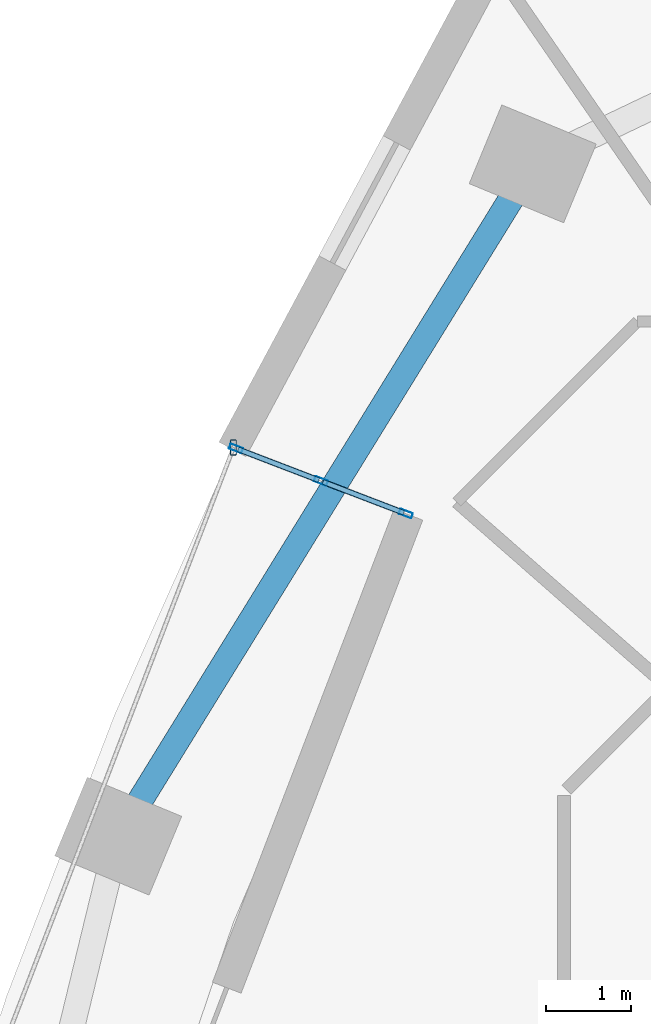
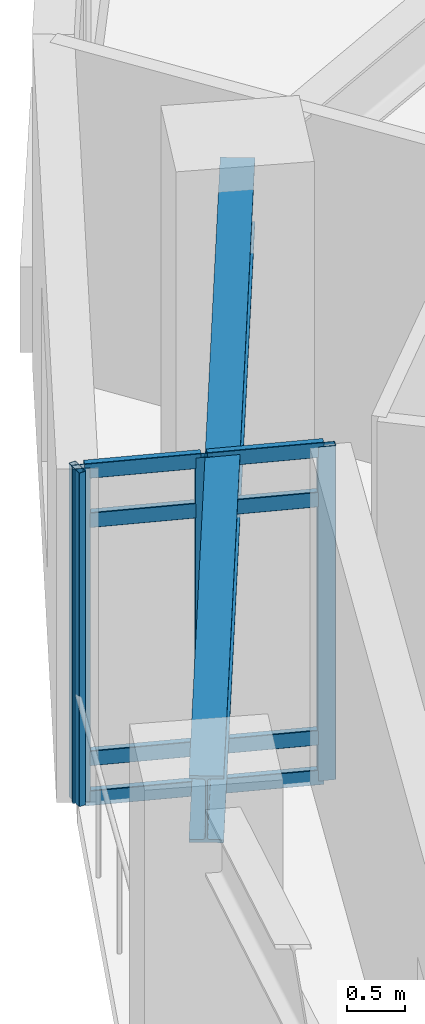
# One storey, part 3 of 12: 12 members, 1 beam, 1 element without a shape of its own.
"""IFC4 building model written with IfcOpenShell, lengths in metres."""

import ifcopenshell
import ifcopenshell.guid

model = None  # the IFC model being written
_history = None  # IfcOwnerHistory: only IFC2X3 demands one
_inside = {}  # id of a spatial element -> (the spatial element, [elements in it])
_under = {}  # id of a project, library or spatial element -> (it, [spatial elements below it])
_declared = {}  # id of a project -> (the project, [libraries it declares])
_typed = {}  # id of a type object -> (the type object, [elements of that type])
_made_of = {}  # id of a material, layer set ... -> (it, [elements and type objects made of it])


def new_model(schema):
    """Start an empty IFC model of exactly this schema.

    Asked for "IFC4X3", IfcOpenShell would pick the latest addendum, in which some entities
    have other attributes; the version numbers below select the first issue.
    IFC2X3 requires an IfcOwnerHistory on every rooted entity: one is made here for all.
    """
    global model, _history
    if schema == "IFC4X3":
        model = ifcopenshell.file(schema_version=(4, 3, 0, 0))
    else:
        model = ifcopenshell.file(schema=schema)
    _inside.clear()
    _under.clear()
    _declared.clear()
    _typed.clear()
    _made_of.clear()
    _history = None
    if model.schema == "IFC2X3":
        org = make("IfcOrganization", Name="unknown")
        user = make(
            "IfcPersonAndOrganization",
            ThePerson=make("IfcPerson", FamilyName="unknown"),
            TheOrganization=org,
        )
        app = make(
            "IfcApplication",
            ApplicationDeveloper=org,
            Version="unknown",
            ApplicationFullName="unknown",
            ApplicationIdentifier="unknown",
        )
        _history = make(
            "IfcOwnerHistory",
            OwningUser=user,
            OwningApplication=app,
            ChangeAction="ADDED",
            CreationDate=0,
        )
    return model


def make(cls, **values):
    """One entity of the class cls with the attributes given. An attribute that is None is left unset."""
    return model.create_entity(
        cls, **{name: value for name, value in values.items() if value is not None}
    )


def rooted(cls, **values):
    """An entity with a GlobalId (a new one), such as an element, a storey or a relation."""
    return make(cls, GlobalId=ifcopenshell.guid.new(), OwnerHistory=_history, **values)


def si_unit(unit_type, name, prefix=None):
    """IfcSIUnit, for example si_unit("LENGTHUNIT", "METRE", prefix="MILLI")."""
    return make("IfcSIUnit", UnitType=unit_type, Prefix=prefix, Name=name)


def assignment(units):
    """IfcUnitAssignment: the units of a project."""
    return None if units is None else make("IfcUnitAssignment", Units=units)


def point(xyz):
    """IfcCartesianPoint."""
    return None if xyz is None else make("IfcCartesianPoint", Coordinates=xyz)


def direction(xyz):
    """IfcDirection."""
    return None if xyz is None else make("IfcDirection", DirectionRatios=xyz)


def frame(location, z_axis=None, x_axis=None):
    """IfcAxis2Placement3D, a coordinate frame: its origin and axes. An axis left out is left unset."""
    return make(
        "IfcAxis2Placement3D",
        Location=point(location),
        Axis=direction(z_axis),
        RefDirection=direction(x_axis),
    )


def frame_2d(location, x_axis=None):
    """IfcAxis2Placement2D, a coordinate frame in the plane: its origin and x axis."""
    return make(
        "IfcAxis2Placement2D", Location=point(location), RefDirection=direction(x_axis)
    )


def origin():
    """The frame at (0, 0, 0) with its axes left unset."""
    return frame((0.0, 0.0, 0.0))


def origin_2d():
    """The frame at (0, 0) in the plane with its x axis left unset."""
    return frame_2d((0.0, 0.0))


def place(relative_to, where):
    """IfcLocalPlacement: puts the frame where relative to a parent placement (None: the world)."""
    return make(
        "IfcLocalPlacement", PlacementRelTo=relative_to, RelativePlacement=where
    )


def context(
    kind, dimensions, precision=None, world=None, true_north=None, identifier=None
):
    """IfcGeometricRepresentationContext, for example the 3D "Model" context."""
    return make(
        "IfcGeometricRepresentationContext",
        ContextIdentifier=identifier,
        ContextType=kind,
        CoordinateSpaceDimension=dimensions,
        Precision=precision,
        WorldCoordinateSystem=world,
        TrueNorth=true_north,
    )


def subcontext(parent, identifier, kind, view, scale=None):
    """IfcGeometricRepresentationSubContext, for example "Body" below "Model"."""
    return make(
        "IfcGeometricRepresentationSubContext",
        ContextIdentifier=identifier,
        ContextType=kind,
        ParentContext=parent,
        TargetScale=scale,
        TargetView=view,
    )


def project(units=None, contexts=None):
    """IfcProject with its units and contexts."""
    return rooted(
        "IfcProject",
        Name="project",
        RepresentationContexts=contexts,
        UnitsInContext=assignment(units),
    )


def spatial(cls, under=None, at=None, **own):
    """A site, building, storey or space (cls), placed at a placement, below another one or the project."""
    s = rooted(cls, ObjectPlacement=at, **own)
    if under is not None:
        _under.setdefault(under.id(), (under, []))[1].append(s)
    return s


def profile(cls, at=None, kind="AREA", **sizes):
    """A parametric profile (cls). Its sizes go by their IFC names, for example OverallWidth=200.0."""
    return make(cls, ProfileType=kind, Position=at, **sizes)


def hollow_rectangle(**sizes):
    """IfcRectangleHollowProfileDef."""
    return profile("IfcRectangleHollowProfileDef", **sizes)


def i_section(**sizes):
    """IfcIShapeProfileDef."""
    return profile("IfcIShapeProfileDef", **sizes)


def extrude(swept, where, along, depth):
    """IfcExtrudedAreaSolid: the profile swept, set in the frame where, extruded along a direction by depth."""
    return make(
        "IfcExtrudedAreaSolid",
        SweptArea=swept,
        Position=where,
        ExtrudedDirection=direction(along),
        Depth=depth,
    )


def shape(context_of_items, identifier, shape_type, items):
    """IfcShapeRepresentation: the items that make up one representation, for example the "Body"."""
    return make(
        "IfcShapeRepresentation",
        ContextOfItems=context_of_items,
        RepresentationIdentifier=identifier,
        RepresentationType=shape_type,
        Items=items,
    )


def material(Name=None, Category=None):
    """IfcMaterial."""
    return make("IfcMaterial", Name=Name, Category=Category)


def layer(
    of_material, thickness, ventilated=None, Name=None, Category=None, Priority=None
):
    """IfcMaterialLayer: one layer of a wall or slab, of a material (None: an air gap)."""
    return make(
        "IfcMaterialLayer",
        Material=of_material,
        LayerThickness=thickness,
        IsVentilated=ventilated,
        Name=Name,
        Category=Category,
        Priority=Priority,
    )


def layer_set(layers, Name=None):
    """IfcMaterialLayerSet."""
    return make("IfcMaterialLayerSet", MaterialLayers=layers, LayerSetName=Name)


def material_profile(
    of_material, cross_section, Name=None, Category=None, Priority=None
):
    """IfcMaterialProfile: a cross section and its material."""
    return make(
        "IfcMaterialProfile",
        Name=Name,
        Material=of_material,
        Profile=cross_section,
        Priority=Priority,
        Category=Category,
    )


def profile_set(profiles, Name=None, composite=None):
    """IfcMaterialProfileSet."""
    return make(
        "IfcMaterialProfileSet",
        Name=Name,
        MaterialProfiles=profiles,
        CompositeProfile=composite,
    )


def made_of(thing, what):
    """Note that an element or type object is made of a material, layer set ...; save() writes the relation."""
    if what is not None:
        _made_of.setdefault(what.id(), (what, []))[1].append(thing)
    return thing


def type_object(cls, material=None, **own):
    """A type object (cls), such as IfcWallType, which elements share."""
    return made_of(rooted(cls, **own), material)


def element(
    cls,
    number,
    at=None,
    inside=None,
    cuts=None,
    type_object=None,
    material=None,
    context=None,
    identifier="Body",
    shape_type=None,
    held_by="IfcProductDefinitionShape",
    body=None,
    shapes=None,
    **own,
):
    """One element of the class cls, such as IfcWall. Its Tag is "e" and its number.

    at: its placement. inside: the storey or other place that contains it. cuts: it is an
    opening in that element (IfcRelVoidsElement). A single representation is given by context,
    identifier, shape_type and body (its items); several are given by shapes. held_by: the class
    of the entity that holds the representations. save() writes the other relations.
    """
    e = rooted(cls, Tag="e%d" % number, ObjectPlacement=at, **own)
    if body is not None:
        shapes = [shape(context, identifier, shape_type, body)]
    if shapes is not None:
        e.Representation = make(held_by, Representations=shapes)
    if inside is not None:
        _inside.setdefault(inside.id(), (inside, []))[1].append(e)
    if cuts is not None:
        rooted(
            "IfcRelVoidsElement", RelatingBuildingElement=cuts, RelatedOpeningElement=e
        )
    if type_object is not None:
        _typed.setdefault(type_object.id(), (type_object, []))[1].append(e)
    return made_of(e, material)


def aggregate(whole, parts):
    """IfcRelAggregates: a whole, such as a stair, and the parts it consists of."""
    return rooted("IfcRelAggregates", RelatingObject=whole, RelatedObjects=parts)


def save(model, path):
    """Write the relations noted so far, then the file.

    IfcRelAggregates (storeys below a building ...), IfcRelContainedInSpatialStructure (elements
    in a storey), IfcRelDefinesByType, IfcRelAssociatesMaterial and IfcRelDeclares: one each for
    every whole, place, type object, material and project.
    """
    for whole, parts in _under.values():
        aggregate(whole, parts)
    for where, things in _inside.values():
        rooted(
            "IfcRelContainedInSpatialStructure",
            RelatedElements=things,
            RelatingStructure=where,
        )
    for kind, things in _typed.values():
        rooted("IfcRelDefinesByType", RelatedObjects=things, RelatingType=kind)
    for what, things in _made_of.values():
        rooted("IfcRelAssociatesMaterial", RelatedObjects=things, RelatingMaterial=what)
    for by, libraries in _declared.values():
        rooted("IfcRelDeclares", RelatingContext=by, RelatedDefinitions=libraries)
    model.write(path)


model = new_model("IFC4")

# Units and contexts
model_context = context("Model", 3, precision=1e-05, world=origin(), true_north=direction((0.0, 1.0)))
body_context = subcontext(model_context, "Body", "Model", "MODEL_VIEW")
ifc_project = project(units=[si_unit("LENGTHUNIT", "METRE"), si_unit("AREAUNIT", "SQUARE_METRE"), si_unit("VOLUMEUNIT", "CUBIC_METRE"), si_unit("PLANEANGLEUNIT", "RADIAN"), si_unit("MASSUNIT", "GRAM", prefix="KILO")], contexts=[model_context])

# Site, building, storey
site_placement = place(None, origin())
site = spatial("IfcSite", under=ifc_project, at=site_placement, CompositionType="ELEMENT")
building_placement = place(site_placement, origin())
building = spatial("IfcBuilding", under=site, at=building_placement, Name="Ndelora Gate Hotel", CompositionType="ELEMENT")
storey_placement = place(building_placement, frame((0.0, 0.0, 68.0)))
storey = spatial("IfcBuildingStorey", under=building, at=storey_placement, Name="L16", CompositionType="ELEMENT", Elevation=68.0)

# Beam
ifc_material_1 = material(Name="Steel S355", Category="steel")
ifc_material_profile_1 = material_profile(ifc_material_1, i_section(OverallWidth=0.300048828125, OverallDepth=0.699951171875, WebThickness=0.01708984375, FlangeThickness=0.031982421875, FilletRadius=0.027099609375, at=origin_2d()), Name="HEB 700")
ifc_profile_set_1 = profile_set([ifc_material_profile_1], Name="Steel S355")
beam_type = type_object("IfcBeamType", Name="BM-RING-700", PredefinedType="SPANDREL", material=ifc_profile_set_1)
beam_placement = place(storey_placement, frame((-11.1484375, 14.529052734375, 3.14990234375), z_axis=(-0.524897602516, -0.851165381623, 0.0), x_axis=(0.851165381623, -0.524897602516, 0.0)))
element("IfcBeam", 1, at=beam_placement, inside=storey, type_object=beam_type, Name="L16 Perimeter Spandrel Girder 2", PredefinedType="SPANDREL", context=body_context, shape_type="SweptSolid", body=[
    extrude(i_section(OverallWidth=0.300048828125, OverallDepth=0.699951171875, WebThickness=0.01708984375, FlangeThickness=0.031982421875, FilletRadius=0.027099609375, at=origin_2d()), origin(), (0.0, 0.0, 1.0), 9.27490234375),
])

# Curtain wall, members
ifc_material_2 = material(Name="Bronze Anodised Unitised Aluminium and Low-E Glass", Category="aluminium")
ifc_layer = layer(ifc_material_2, 0.199951171875)
ifc_layer_set = layer_set([ifc_layer], Name="Bronze Anodised Unitised Aluminium and Low-E Glass")
curtain_wall_type = type_object("IfcCurtainWallType", Name="CW-SYS-3", PredefinedType="NOTDEFINED", material=ifc_layer_set)
curtain_wall_placement = place(storey_placement, origin())
curtain_wall = element("IfcCurtainWall", 2, at=curtain_wall_placement, inside=storey, type_object=curtain_wall_type, Name="L16 Sky-Garden Loggia Side Curtain Wall CW3-1", PredefinedType="NOTDEFINED")
ifc_material_3 = material(Name="Bronze Anodised Aluminium 6063-T6", Category="aluminium")
ifc_material_profile_2 = material_profile(ifc_material_3, hollow_rectangle(XDim=0.06494140625, YDim=0.159912109375, WallThickness=0.00390625, InnerFilletRadius=0.00390625, OuterFilletRadius=0.008056640625, at=origin_2d()), Name="ALU 160x65x4")
ifc_profile_set_2 = profile_set([ifc_material_profile_2], Name="Bronze Anodised Aluminium 6063-T6")
member_type_1 = type_object("IfcMemberType", Name="MB-CW-MUL150", PredefinedType="MULLION", material=ifc_profile_set_2)
member_1_placement = place(storey_placement, frame((-12.638916015625, 10.421630859375, -0.00390625), z_axis=(0.0, 0.0, 1.0), x_axis=(-0.358360683234, -0.93358321574, 0.0)))
member_1 = element("IfcMember", 3, at=member_1_placement, type_object=member_type_1, Name="CW3 mullion 1", PredefinedType="MULLION", context=body_context, shape_type="SweptSolid", body=[
    extrude(hollow_rectangle(XDim=0.06494140625, YDim=0.159912109375, WallThickness=0.00390625, InnerFilletRadius=0.00390625, OuterFilletRadius=0.008056640625, at=origin_2d()), origin(), (0.0, 0.0, 1.0), 3.5078125),
])
member_2_placement = place(storey_placement, frame((-13.635498046875, 10.80419921875, -0.00390625), z_axis=(0.0, 0.0, 1.0), x_axis=(-0.358360683234, -0.93358321574, 0.0)))
member_2 = element("IfcMember", 4, at=member_2_placement, type_object=member_type_1, Name="CW3 mullion 2", PredefinedType="MULLION", context=body_context, shape_type="SweptSolid", body=[
    extrude(hollow_rectangle(XDim=0.06494140625, YDim=0.159912109375, WallThickness=0.00390625, InnerFilletRadius=0.00390625, OuterFilletRadius=0.008056640625, at=origin_2d()), origin(), (0.0, 0.0, 1.0), 3.5078125),
])
member_3_placement = place(storey_placement, frame((-14.632080078125, 11.186767578125, -0.00390625), z_axis=(0.0, 0.0, 1.0), x_axis=(-0.358360683234, -0.93358321574, 0.0)))
member_3 = element("IfcMember", 5, at=member_3_placement, type_object=member_type_1, Name="CW3 mullion 3", PredefinedType="MULLION", context=body_context, shape_type="SweptSolid", body=[
    extrude(hollow_rectangle(XDim=0.06494140625, YDim=0.159912109375, WallThickness=0.00390625, InnerFilletRadius=0.00390625, OuterFilletRadius=0.008056640625, at=origin_2d()), origin(), (0.0, 0.0, 1.0), 3.5078125),
])
ifc_material_profile_3 = material_profile(ifc_material_3, hollow_rectangle(XDim=0.070068359375, YDim=0.179931640625, WallThickness=0.0048828125, InnerFilletRadius=0.0048828125, OuterFilletRadius=0.010009765625, at=origin_2d()), Name="ALU 180x70x5")
ifc_profile_set_3 = profile_set([ifc_material_profile_3], Name="Bronze Anodised Aluminium 6063-T6")
member_type_2 = type_object("IfcMemberType", Name="MB-CW-MUL180", PredefinedType="MULLION", material=ifc_profile_set_3)
member_4_placement = place(storey_placement, frame((-14.66259765625, 11.198486328125, 0.0), z_axis=(0.0, 0.0, 1.0), x_axis=(1.0, 0.0, 0.0)))
member_4 = element("IfcMember", 6, at=member_4_placement, type_object=member_type_2, Name="L16 Sky-Garden Loggia Corner Mullion Post 1", PredefinedType="MULLION", context=body_context, shape_type="SweptSolid", body=[
    extrude(hollow_rectangle(XDim=0.070068359375, YDim=0.179931640625, WallThickness=0.0048828125, InnerFilletRadius=0.0048828125, OuterFilletRadius=0.010009765625, at=origin_2d()), origin(), (0.0, 0.0, 1.0), 3.5),
])
ifc_material_profile_4 = material_profile(ifc_material_3, hollow_rectangle(XDim=0.06494140625, YDim=0.159912109375, WallThickness=0.00390625, InnerFilletRadius=0.00390625, OuterFilletRadius=0.008056640625, at=origin_2d()), Name="ALU 160x65x4")
ifc_profile_set_4 = profile_set([ifc_material_profile_4], Name="Bronze Anodised Aluminium 6063-T6")
member_type_3 = type_object("IfcMemberType", Name="MB-CW-TRN150", PredefinedType="USERDEFINED", material=ifc_profile_set_4)
member_5_placement = place(storey_placement, frame((-12.66357421875, 10.43115234375, 0.032470703125), z_axis=(-0.933612017007, 0.358285642609, 0.0), x_axis=(-0.358285642609, -0.933612017007, 0.0)))
member_5 = element("IfcMember", 7, at=member_5_placement, type_object=member_type_3, Name="CW3 transom 1.1", ObjectType="TRANSOM", PredefinedType="USERDEFINED", context=body_context, shape_type="SweptSolid", body=[
    extrude(hollow_rectangle(XDim=0.06494140625, YDim=0.159912109375, WallThickness=0.00390625, InnerFilletRadius=0.00390625, OuterFilletRadius=0.008056640625, at=origin_2d()), origin(), (0.0, 0.0, 1.0), 1.0146484375),
])
member_6_placement = place(storey_placement, frame((-12.66357421875, 10.43115234375, 0.449951171875), z_axis=(-0.933612017007, 0.358285642609, 0.0), x_axis=(-0.358285642609, -0.933612017007, 0.0)))
member_6 = element("IfcMember", 8, at=member_6_placement, type_object=member_type_3, Name="CW3 transom 1.2", ObjectType="TRANSOM", PredefinedType="USERDEFINED", context=body_context, shape_type="SweptSolid", body=[
    extrude(hollow_rectangle(XDim=0.06494140625, YDim=0.159912109375, WallThickness=0.00390625, InnerFilletRadius=0.00390625, OuterFilletRadius=0.008056640625, at=origin_2d()), origin(), (0.0, 0.0, 1.0), 1.0146484375),
])
member_7_placement = place(storey_placement, frame((-12.66357421875, 10.43115234375, 2.949951171875), z_axis=(-0.933612017007, 0.358285642609, 0.0), x_axis=(-0.358285642609, -0.933612017007, 0.0)))
member_7 = element("IfcMember", 9, at=member_7_placement, type_object=member_type_3, Name="CW3 transom 1.3", ObjectType="TRANSOM", PredefinedType="USERDEFINED", context=body_context, shape_type="SweptSolid", body=[
    extrude(hollow_rectangle(XDim=0.06494140625, YDim=0.159912109375, WallThickness=0.00390625, InnerFilletRadius=0.00390625, OuterFilletRadius=0.008056640625, at=origin_2d()), origin(), (0.0, 0.0, 1.0), 1.0146484375),
])
member_8_placement = place(storey_placement, frame((-12.66357421875, 10.43115234375, 3.467529296875), z_axis=(-0.933612017007, 0.358285642609, 0.0), x_axis=(-0.358285642609, -0.933612017007, 0.0)))
member_8 = element("IfcMember", 10, at=member_8_placement, type_object=member_type_3, Name="CW3 transom 1.4", ObjectType="TRANSOM", PredefinedType="USERDEFINED", context=body_context, shape_type="SweptSolid", body=[
    extrude(hollow_rectangle(XDim=0.06494140625, YDim=0.159912109375, WallThickness=0.00390625, InnerFilletRadius=0.00390625, OuterFilletRadius=0.008056640625, at=origin_2d()), origin(), (0.0, 0.0, 1.0), 1.0146484375),
])
member_9_placement = place(storey_placement, frame((-13.660400390625, 10.813720703125, 0.032470703125), z_axis=(-0.93358111833, 0.358366147253, 0.0), x_axis=(-0.358366147253, -0.93358111833, 0.0)))
member_9 = element("IfcMember", 11, at=member_9_placement, type_object=member_type_3, Name="CW3 transom 2.1", ObjectType="TRANSOM", PredefinedType="USERDEFINED", context=body_context, shape_type="SweptSolid", body=[
    extrude(hollow_rectangle(XDim=0.06494140625, YDim=0.159912109375, WallThickness=0.00390625, InnerFilletRadius=0.00390625, OuterFilletRadius=0.008056640625, at=origin_2d()), origin(), (0.0, 0.0, 1.0), 1.014404296875),
])
member_10_placement = place(storey_placement, frame((-13.660400390625, 10.813720703125, 0.449951171875), z_axis=(-0.93358111833, 0.358366147253, 0.0), x_axis=(-0.358366147253, -0.93358111833, 0.0)))
member_10 = element("IfcMember", 12, at=member_10_placement, type_object=member_type_3, Name="CW3 transom 2.2", ObjectType="TRANSOM", PredefinedType="USERDEFINED", context=body_context, shape_type="SweptSolid", body=[
    extrude(hollow_rectangle(XDim=0.06494140625, YDim=0.159912109375, WallThickness=0.00390625, InnerFilletRadius=0.00390625, OuterFilletRadius=0.008056640625, at=origin_2d()), origin(), (0.0, 0.0, 1.0), 1.014404296875),
])
member_11_placement = place(storey_placement, frame((-13.660400390625, 10.813720703125, 2.949951171875), z_axis=(-0.93358111833, 0.358366147253, 0.0), x_axis=(-0.358366147253, -0.93358111833, 0.0)))
member_11 = element("IfcMember", 13, at=member_11_placement, type_object=member_type_3, Name="CW3 transom 2.3", ObjectType="TRANSOM", PredefinedType="USERDEFINED", context=body_context, shape_type="SweptSolid", body=[
    extrude(hollow_rectangle(XDim=0.06494140625, YDim=0.159912109375, WallThickness=0.00390625, InnerFilletRadius=0.00390625, OuterFilletRadius=0.008056640625, at=origin_2d()), origin(), (0.0, 0.0, 1.0), 1.014404296875),
])
member_12_placement = place(storey_placement, frame((-13.660400390625, 10.813720703125, 3.467529296875), z_axis=(-0.93358111833, 0.358366147253, 0.0), x_axis=(-0.358366147253, -0.93358111833, 0.0)))
member_12 = element("IfcMember", 14, at=member_12_placement, type_object=member_type_3, Name="CW3 transom 2.4", ObjectType="TRANSOM", PredefinedType="USERDEFINED", context=body_context, shape_type="SweptSolid", body=[
    extrude(hollow_rectangle(XDim=0.06494140625, YDim=0.159912109375, WallThickness=0.00390625, InnerFilletRadius=0.00390625, OuterFilletRadius=0.008056640625, at=origin_2d()), origin(), (0.0, 0.0, 1.0), 1.014404296875),
])
aggregate(curtain_wall, [member_1, member_2, member_3, member_5, member_6, member_7, member_8, member_9, member_10, member_11, member_12, member_4])

save(model, "model.ifc")
